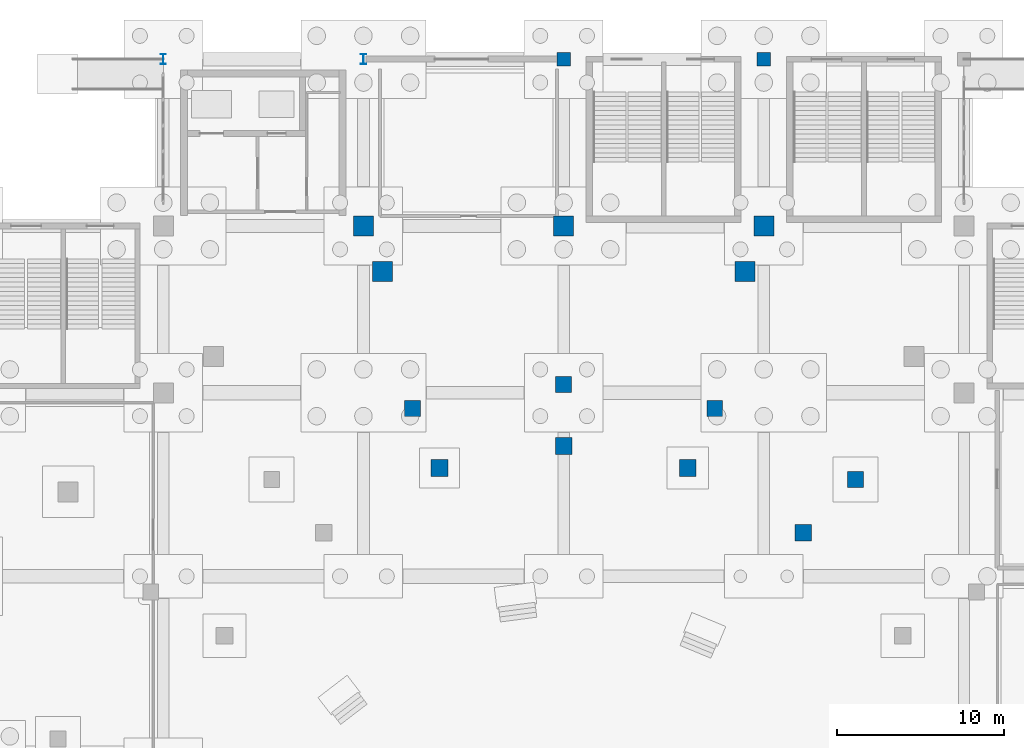
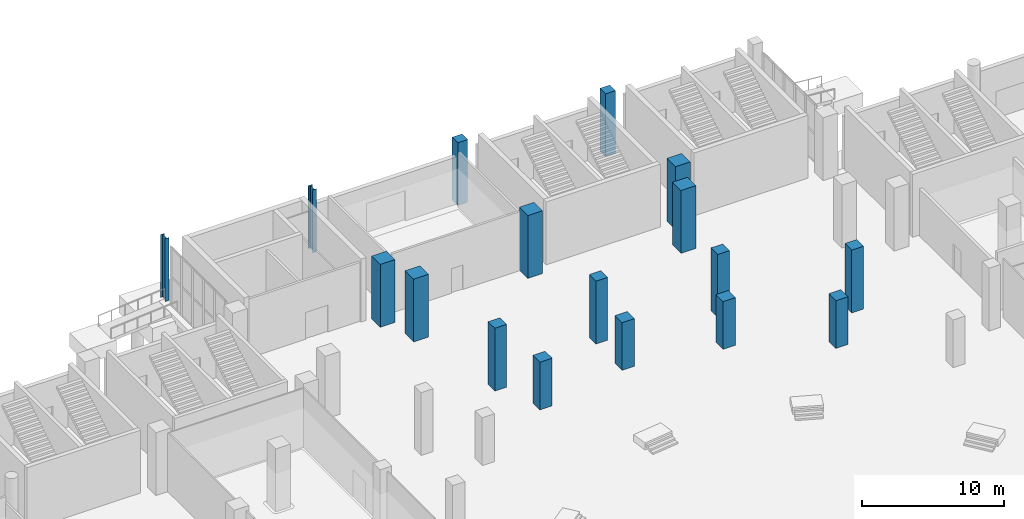
# One storey, part 21 of 70: 17 columns.
"""IFC4 building model written with IfcOpenShell, lengths in metres."""

from ifc_helpers import new_model, si_unit, direction, frame, origin, origin_2d, place, context, subcontext, project, spatial, rectangle, i_section, extrude, material, material_profile, profile_set, type_object, element, save


model = new_model("IFC4")

# Units and contexts
model_context = context("Model", 3, precision=1e-05, world=origin(), true_north=direction((0.0, 1.0)))
body_context = subcontext(model_context, "Body", "Model", "MODEL_VIEW")
ifc_project = project(units=[si_unit("LENGTHUNIT", "METRE"), si_unit("AREAUNIT", "SQUARE_METRE"), si_unit("VOLUMEUNIT", "CUBIC_METRE"), si_unit("PLANEANGLEUNIT", "RADIAN"), si_unit("MASSUNIT", "GRAM", prefix="KILO")], contexts=[model_context])

# Site, building, storey
site_placement = place(None, origin())
site = spatial("IfcSite", under=ifc_project, at=site_placement, CompositionType="ELEMENT")
building_placement = place(site_placement, origin())
building = spatial("IfcBuilding", under=site, at=building_placement, Name="Brinegate Civic Arena", CompositionType="ELEMENT")
storey_placement = place(building_placement, origin())
storey = spatial("IfcBuildingStorey", under=building, at=storey_placement, Name="L00", CompositionType="ELEMENT", Elevation=0.0)

# Columns
ifc_material_1 = material(Name="Concrete C50/60", Category="concrete")
ifc_material_profile_1 = material_profile(ifc_material_1, rectangle(XDim=1.199951171875, YDim=1.199951171875, at=origin_2d()), Name="RC1200X1200")
ifc_profile_set_1 = profile_set([ifc_material_profile_1], Name="Concrete C50/60")
column_type_1 = type_object("IfcColumnType", Name="COL-CC01-1200", PredefinedType="COLUMN", material=ifc_profile_set_1)
for number, where, z_axis, x_axis, name in (
    (1, (96.0, 114.0, 0.0), (0.0, 0.0, 1.0), (1.0, 0.0, 0.0), "Column COL-L00-9-M"),
    (2, (108.0, 114.0, 0.0), (0.0, 0.0, 1.0), (1.0, 0.0, 0.0), "Column COL-L00-10-M"),
    (3, (120.0, 114.0, 0.0), (0.0, 0.0, 1.0), (1.0, 0.0, 0.0), "Column COL-L00-11-M"),
    (4, (118.8701171875, 111.261962890625, 0.0), (0.0, 0.0, 1.0), (1.0, 0.0, 0.0), "Bowl Raker Column OUT-06-L00"),
    (5, (97.1298828125, 111.261962890625, 0.0), (0.0, 0.0, 1.0), (1.0, 0.0, 0.0), "Bowl Raker Column OUT-08-L00"),
):
    element("IfcColumn", number, at=place(storey_placement, frame(where, z_axis=z_axis, x_axis=x_axis)), inside=storey, type_object=column_type_1, Name=name, PredefinedType="COLUMN", context=body_context, shape_type="SweptSolid", body=[
        extrude(rectangle(XDim=1.199951171875, YDim=1.199951171875, at=origin_2d()), origin(), (0.0, 0.0, 1.0), 5.39990234375),
    ])
ifc_material_profile_2 = material_profile(ifc_material_1, rectangle(XDim=1.0, YDim=1.0, at=origin_2d()), Name="RC1000X1000")
ifc_profile_set_2 = profile_set([ifc_material_profile_2], Name="Concrete C50/60")
column_type_2 = type_object("IfcColumnType", Name="COL-CC03-1000", PredefinedType="COLUMN", material=ifc_profile_set_2)
for number, where, z_axis, x_axis, name in (
    (6, (122.375, 95.612060546875, 0.0), (0.0, 0.0, 1.0), (1.0, 0.0, 0.0), "Bowl Raker Column MID-05"),
    (7, (115.44091796875, 99.489990234375, 0.0), (0.0, 0.0, 1.0), (1.0, 0.0, 0.0), "Bowl Raker Column MID-06"),
    (8, (108.0, 100.81201171875, 0.0), (0.0, 0.0, 1.0), (1.0, 0.0, 0.0), "Bowl Raker Column MID-07"),
    (9, (100.55908203125, 99.489990234375, 0.0), (0.0, 0.0, 1.0), (1.0, 0.0, 0.0), "Bowl Raker Column MID-08"),
):
    element("IfcColumn", number, at=place(storey_placement, frame(where, z_axis=z_axis, x_axis=x_axis)), inside=storey, type_object=column_type_2, Name=name, PredefinedType="COLUMN", context=body_context, shape_type="SweptSolid", body=[
        extrude(rectangle(XDim=1.0, YDim=1.0, at=origin_2d()), origin(), (0.0, 0.0, 1.0), 4.10009765625),
    ])
ifc_material_profile_3 = material_profile(ifc_material_1, rectangle(XDim=0.949951171875, YDim=0.949951171875, at=origin_2d()), Name="RC950X950")
ifc_profile_set_3 = profile_set([ifc_material_profile_3], Name="Concrete C50/60")
column_type_3 = type_object("IfcColumnType", Name="COL-CC04-950", PredefinedType="COLUMN", material=ifc_profile_set_3)
for number, where, z_axis, x_axis, name in (
    (10, (125.5, 98.805908203125, 0.0), (0.0, 0.0, 1.0), (1.0, 0.0, 0.0), "Upper Raker Inner Column UIN-05-L00"),
    (11, (117.05908203125, 103.052001953125, 0.0), (0.0, 0.0, 1.0), (1.0, 0.0, 0.0), "Upper Raker Inner Column UIN-06-L00"),
    (12, (108.0, 104.5, 0.0), (0.0, 0.0, 1.0), (1.0, 0.0, 0.0), "Upper Raker Inner Column UIN-07-L00"),
    (13, (98.94091796875, 103.052001953125, 0.0), (0.0, 0.0, 1.0), (1.0, 0.0, 0.0), "Upper Raker Inner Column UIN-08-L00"),
):
    element("IfcColumn", number, at=place(storey_placement, frame(where, z_axis=z_axis, x_axis=x_axis)), inside=storey, type_object=column_type_3, Name=name, PredefinedType="COLUMN", context=body_context, shape_type="SweptSolid", body=[
        extrude(rectangle(XDim=0.949951171875, YDim=0.949951171875, at=origin_2d()), origin(), (0.0, 0.0, 1.0), 5.39990234375),
    ])
ifc_material_profile_4 = material_profile(ifc_material_1, rectangle(XDim=0.800048828125, YDim=0.800048828125, at=origin_2d()), Name="RC800X800")
ifc_profile_set_4 = profile_set([ifc_material_profile_4], Name="Concrete C50/60")
column_type_4 = type_object("IfcColumnType", Name="COL-CC07-800", PredefinedType="COLUMN", material=ifc_profile_set_4)
for number, where, z_axis, x_axis, name in (
    (14, (108.0, 124.0, 0.0), (0.0, 0.0, 1.0), (1.0, 0.0, 0.0), "Column COL-L00-10-N"),
    (15, (120.0, 124.0, 0.0), (0.0, 0.0, 1.0), (1.0, 0.0, 0.0), "Column COL-L00-11-N"),
):
    element("IfcColumn", number, at=place(storey_placement, frame(where, z_axis=z_axis, x_axis=x_axis)), inside=storey, type_object=column_type_4, Name=name, PredefinedType="COLUMN", context=body_context, shape_type="SweptSolid", body=[
        extrude(rectangle(XDim=0.800048828125, YDim=0.800048828125, at=origin_2d()), origin(), (0.0, 0.0, 1.0), 5.39990234375),
    ])
ifc_material_2 = material(Name="Steel S355", Category="steel")
ifc_material_profile_5 = material_profile(ifc_material_2, i_section(OverallWidth=0.323974609375, OverallDepth=0.611083984375, WebThickness=0.012939453125, FlangeThickness=0.01904296875, FilletRadius=0.01611328125, at=origin_2d()), Name="W610X155")
ifc_profile_set_5 = profile_set([ifc_material_profile_5], Name="Steel S355")
column_type_5 = type_object("IfcColumnType", Name="COL-SC01-W610", PredefinedType="COLUMN", material=ifc_profile_set_5)
for number, where, z_axis, x_axis, name in (
    (16, (84.0, 124.0, 0.0), (0.0, 0.0, 1.0), (1.0, 0.0, 0.0), "Column COL-L00-8-N"),
    (17, (96.0, 124.0, 0.0), (0.0, 0.0, 1.0), (1.0, 0.0, 0.0), "Column COL-L00-9-N"),
):
    element("IfcColumn", number, at=place(storey_placement, frame(where, z_axis=z_axis, x_axis=x_axis)), inside=storey, type_object=column_type_5, Name=name, PredefinedType="COLUMN", context=body_context, shape_type="SweptSolid", body=[
        extrude(i_section(OverallWidth=0.323974609375, OverallDepth=0.611083984375, WebThickness=0.012939453125, FlangeThickness=0.01904296875, FilletRadius=0.01611328125, at=origin_2d()), origin(), (0.0, 0.0, 1.0), 5.39990234375),
    ])

save(model, "model.ifc")
